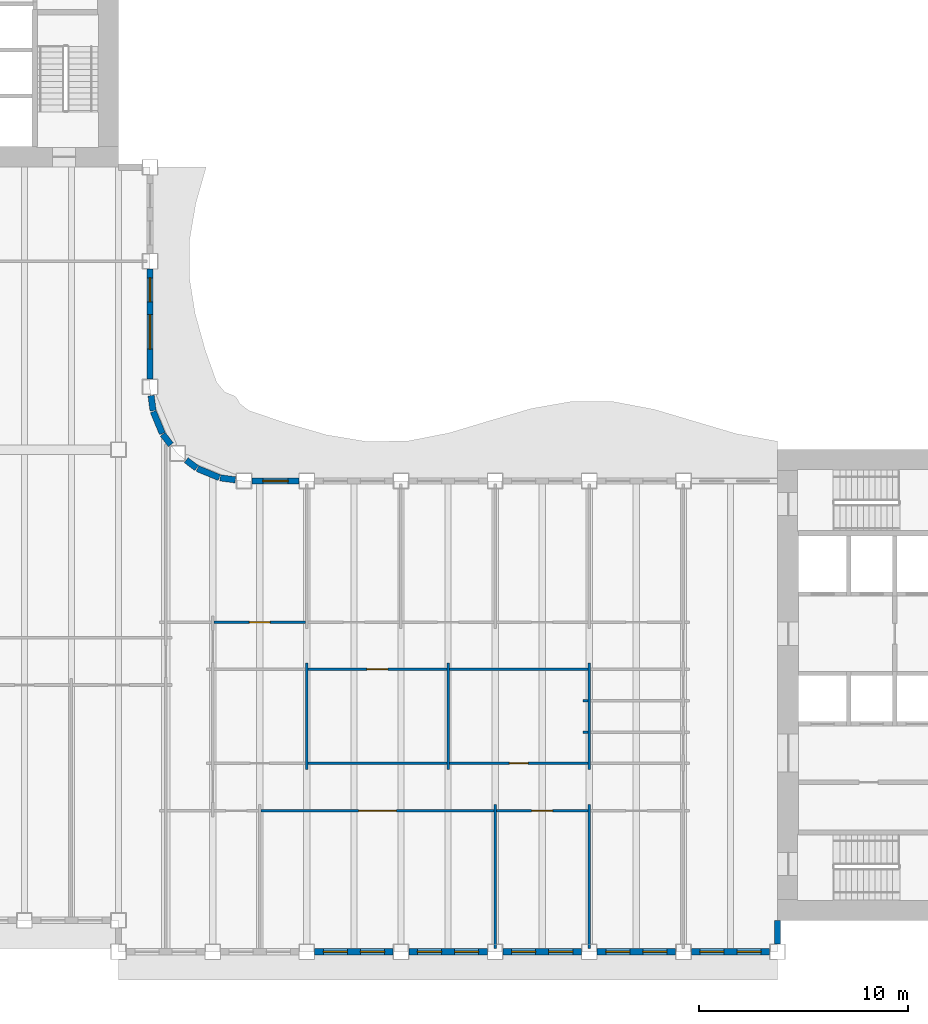
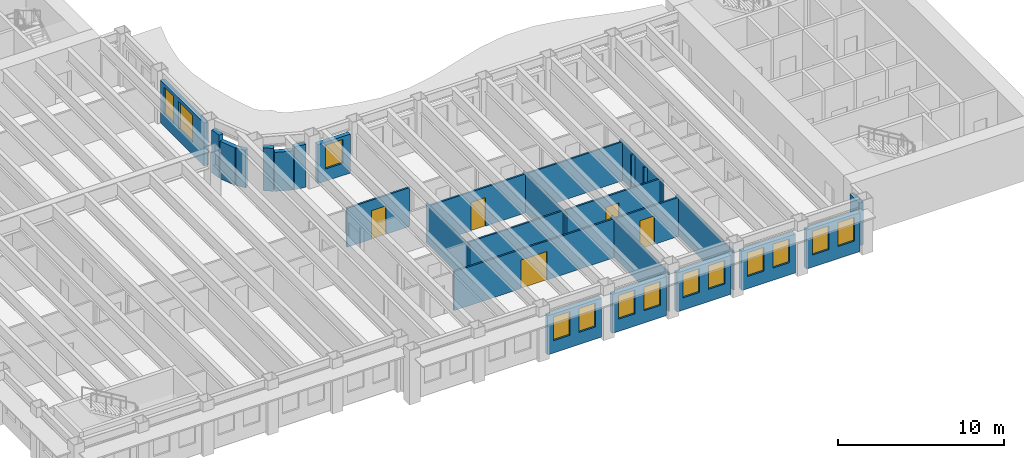
# One storey, part 5 of 16: 28 walls, 13 windows, 5 doors, 18 openings.
"""IFC4 building model written with IfcOpenShell, lengths in metres."""

from ifc_helpers import new_model, si_unit, direction, frame, frame_2d, origin, place, context, subcontext, project, spatial, rectangle, extrude, material, layer, layer_set, type_object, element, fill, save


model = new_model("IFC4")

# Units and contexts
model_context = context("Model", 3, precision=1e-05, world=origin(), true_north=direction((0.0, 1.0)))
body_context = subcontext(model_context, "Body", "Model", "MODEL_VIEW")
ifc_project = project(units=[si_unit("LENGTHUNIT", "METRE"), si_unit("AREAUNIT", "SQUARE_METRE"), si_unit("VOLUMEUNIT", "CUBIC_METRE"), si_unit("PLANEANGLEUNIT", "RADIAN"), si_unit("MASSUNIT", "GRAM", prefix="KILO")], contexts=[model_context])

# Site, building, storey
site_placement = place(None, origin())
site = spatial("IfcSite", under=ifc_project, at=site_placement, CompositionType="ELEMENT")
building_placement = place(site_placement, origin())
building = spatial("IfcBuilding", under=site, at=building_placement, Name="Sennacour Bend Tower", CompositionType="ELEMENT")
storey_placement = place(building_placement, frame((0.0, 0.0, 235.0)))
storey = spatial("IfcBuildingStorey", under=building, at=storey_placement, Name="L54", CompositionType="ELEMENT", Elevation=235.0)

# Walls
ifc_material_1 = material(Name="Plasterboard partition on steel studs", Category="steel")
ifc_layer_1 = layer(ifc_material_1, 0.1201171875, Name="Plasterboard partition on steel studs", Category="steel")
ifc_layer_set_1 = layer_set([ifc_layer_1], Name="Plasterboard partition on steel studs")
wall_type_1 = type_object("IfcWallType", Name="Partition 120", PredefinedType="PARTITIONING", material=ifc_layer_set_1)
for number, where, z_axis, x_axis, name in (
    (1, (31.5, 7.199951171875, 0.0), (0.0, 0.0, 1.0), (0.0, 1.0, 0.0), "P-L54-W026a"),
    (2, (38.25, 7.199951171875, 0.0), (0.0, 0.0, 1.0), (0.0, 1.0, 0.0), "P-L54-W029a"),
):
    element("IfcWall", number, at=place(storey_placement, frame(where, z_axis=z_axis, x_axis=x_axis)), inside=storey, type_object=wall_type_1, Name=name, PredefinedType="PARTITIONING", context=body_context, shape_type="SweptSolid", body=[
        extrude(rectangle(XDim=5.10009765625, YDim=0.1201171875, at=frame_2d((2.550048828125, 0.0))), origin(), (0.0, 0.0, 1.0), 2.8701171875),
    ])
for number, where, z_axis, x_axis, name in (
    (3, (40.5, -1.35009765625, 0.0), (0.0, 0.0, 1.0), (0.0, 1.0, 0.0), "P-L54-W030a"),
    (4, (45.0, -1.35009765625, 0.0), (0.0, 0.0, 1.0), (0.0, 1.0, 0.0), "P-L54-W032a"),
):
    element("IfcWall", number, at=place(storey_placement, frame(where, z_axis=z_axis, x_axis=x_axis)), inside=storey, type_object=wall_type_1, Name=name, PredefinedType="PARTITIONING", context=body_context, shape_type="SweptSolid", body=[
        extrude(rectangle(XDim=6.900146484375, YDim=0.1201171875, at=frame_2d((3.4501953125, 0.0))), origin(), (0.0, 0.0, 1.0), 2.8701171875),
    ])
wall_1_placement = place(storey_placement, frame((45.0, 7.199951171875, 0.0), z_axis=(0.0, 0.0, 1.0), x_axis=(0.0, 1.0, 0.0)))
element("IfcWall", 5, at=wall_1_placement, inside=storey, type_object=wall_type_1, Name="P-L54-W033a", PredefinedType="PARTITIONING", context=body_context, shape_type="SweptSolid", body=[
    extrude(rectangle(XDim=5.10009765625, YDim=0.1201171875, at=frame_2d((2.550048828125, 0.0))), origin(), (0.0, 0.0, 1.0), 2.8701171875),
])

# Wall, opening, door
wall_2_placement = place(storey_placement, frame((29.31005859375, 5.25, 0.0), z_axis=(0.0, 0.0, 1.0), x_axis=(1.0, 0.0, 0.0)))
wall_2 = element("IfcWall", 6, at=wall_2_placement, inside=storey, type_object=wall_type_1, Name="P-L54-W056ad", PredefinedType="PARTITIONING", context=body_context, shape_type="SweptSolid", body=[
    extrude(rectangle(XDim=11.1298828125, YDim=0.1201171875, at=frame_2d((5.56494140625, 0.0))), origin(), (0.0, 0.0, 1.0), 2.8701171875),
])
opening_1_placement = place(wall_2_placement, frame((4.664794921875, 0.0, 0.0)))
opening_1 = element("IfcOpeningElement", 7, at=opening_1_placement, cuts=wall_2, Name="Opening OD3", PredefinedType="OPENING", context=body_context, shape_type="SweptSolid", body=[
    extrude(rectangle(XDim=1.800048828125, YDim=2.10009765625, at=frame_2d((0.89990234375, 1.050048828125))), frame((0.0, 0.070068359375, 0.0), z_axis=(0.0, -1.0, 0.0), x_axis=(1.0, 0.0, 0.0)), (0.0, 0.0, 1.0), 0.14013671875),
])
ifc_material_2 = material(Name="Timber", Category="wood")
door_type_1 = type_object("IfcDoorType", Name="DR-OFFICE-1800", OperationType="NOTDEFINED", PredefinedType="DOOR", material=ifc_material_2)
door_1_placement = place(opening_1_placement, origin())
door_1 = element("IfcDoor", 8, at=door_1_placement, inside=storey, type_object=door_type_1, Name="Door", OperationType="DOUBLE_DOOR_SINGLE_SWING", OverallHeight=2.10009765625, OverallWidth=1.800048828125, PredefinedType="DOOR", context=body_context, shape_type="SweptSolid", body=[
    extrude(rectangle(XDim=1.800048828125, YDim=2.10009765625, at=frame_2d((0.89990234375, 1.050048828125))), frame((0.0, 0.02490234375, 0.0), z_axis=(0.0, -1.0, 0.0), x_axis=(1.0, 0.0, 0.0)), (0.0, 0.0, 1.0), 0.050048828125),
])
fill(opening_1, door_1)

wall_3_placement = place(storey_placement, frame((40.56005859375, 5.25, 0.0), z_axis=(0.0, 0.0, 1.0), x_axis=(1.0, 0.0, 0.0)))
wall_3 = element("IfcWall", 9, at=wall_3_placement, inside=storey, type_object=wall_type_1, Name="P-L54-W056ae", PredefinedType="PARTITIONING", context=body_context, shape_type="SweptSolid", body=[
    extrude(rectangle(XDim=4.3798828125, YDim=0.1201171875, at=frame_2d((2.18994140625, 0.0))), origin(), (0.0, 0.0, 1.0), 2.8701171875),
])
opening_2_placement = place(wall_3_placement, frame((1.68994140625, 0.0, 0.0)))
opening_2 = element("IfcOpeningElement", 10, at=opening_2_placement, cuts=wall_3, Name="Opening OD2", PredefinedType="OPENING", context=body_context, shape_type="SweptSolid", body=[
    extrude(rectangle(XDim=1.0, YDim=2.10009765625, at=frame_2d((0.5, 1.050048828125))), frame((0.0, 0.070068359375, 0.0), z_axis=(0.0, -1.0, 0.0), x_axis=(1.0, 0.0, 0.0)), (0.0, 0.0, 1.0), 0.14013671875),
])
door_type_2 = type_object("IfcDoorType", Name="DR-OFFICE-1000", OperationType="NOTDEFINED", PredefinedType="DOOR", material=ifc_material_2)
door_2_placement = place(opening_2_placement, origin())
door_2 = element("IfcDoor", 11, at=door_2_placement, inside=storey, type_object=door_type_2, Name="Door", OperationType="SINGLE_SWING_LEFT", OverallHeight=2.10009765625, OverallWidth=1.0, PredefinedType="DOOR", context=body_context, shape_type="SweptSolid", body=[
    extrude(rectangle(XDim=1.0, YDim=2.10009765625, at=frame_2d((0.5, 1.050048828125))), frame((0.0, 0.02490234375, 0.0), z_axis=(0.0, -1.0, 0.0), x_axis=(1.0, 0.0, 0.0)), (0.0, 0.0, 1.0), 0.050048828125),
])
fill(opening_2, door_2)

# Walls
wall_4_placement = place(storey_placement, frame((31.56005859375, 7.5, 0.0), z_axis=(0.0, 0.0, 1.0), x_axis=(1.0, 0.0, 0.0)))
element("IfcWall", 12, at=wall_4_placement, inside=storey, type_object=wall_type_1, Name="P-L54-W058ac", PredefinedType="PARTITIONING", context=body_context, shape_type="SweptSolid", body=[
    extrude(rectangle(XDim=6.6298828125, YDim=0.1201171875, at=frame_2d((3.31494140625, 0.0))), origin(), (0.0, 0.0, 1.0), 2.8701171875),
])
for number, where, z_axis, x_axis, name in (
    (13, (44.699951171875, 9.0, 0.0), (0.0, 0.0, 1.0), (1.0, 0.0, 0.0), "P-L54-W059aa"),
    (14, (44.699951171875, 10.5, 0.0), (0.0, 0.0, 1.0), (1.0, 0.0, 0.0), "P-L54-W061aa"),
):
    element("IfcWall", number, at=place(storey_placement, frame(where, z_axis=z_axis, x_axis=x_axis)), inside=storey, type_object=wall_type_1, Name=name, PredefinedType="PARTITIONING", context=body_context, shape_type="SweptSolid", body=[
        extrude(rectangle(XDim=0.239990234375, YDim=0.1201171875, at=frame_2d((0.1201171875, 0.0))), origin(), (0.0, 0.0, 1.0), 2.8701171875),
    ])

# Wall, opening, door
wall_5_placement = place(storey_placement, frame((31.56005859375, 12.0, 0.0), z_axis=(0.0, 0.0, 1.0), x_axis=(1.0, 0.0, 0.0)))
wall_5 = element("IfcWall", 15, at=wall_5_placement, inside=storey, type_object=wall_type_1, Name="P-L54-W064ac", PredefinedType="PARTITIONING", context=body_context, shape_type="SweptSolid", body=[
    extrude(rectangle(XDim=6.6298828125, YDim=0.1201171875, at=frame_2d((3.31494140625, 0.0))), origin(), (0.0, 0.0, 1.0), 2.8701171875),
])
opening_3_placement = place(wall_5_placement, frame((2.81494140625, 0.0, 0.0)))
opening_3 = element("IfcOpeningElement", 16, at=opening_3_placement, cuts=wall_5, Name="Opening OD2", PredefinedType="OPENING", context=body_context, shape_type="SweptSolid", body=[
    extrude(rectangle(XDim=1.0, YDim=2.10009765625, at=frame_2d((0.5, 1.050048828125))), frame((0.0, 0.070068359375, 0.0), z_axis=(0.0, -1.0, 0.0), x_axis=(1.0, 0.0, 0.0)), (0.0, 0.0, 1.0), 0.14013671875),
])
door_3_placement = place(opening_3_placement, origin())
door_3 = element("IfcDoor", 17, at=door_3_placement, inside=storey, type_object=door_type_2, Name="Door", OperationType="SINGLE_SWING_LEFT", OverallHeight=2.10009765625, OverallWidth=1.0, PredefinedType="DOOR", context=body_context, shape_type="SweptSolid", body=[
    extrude(rectangle(XDim=1.0, YDim=2.10009765625, at=frame_2d((0.5, 1.050048828125))), frame((0.0, 0.02490234375, 0.0), z_axis=(0.0, -1.0, 0.0), x_axis=(1.0, 0.0, 0.0)), (0.0, 0.0, 1.0), 0.050048828125),
])
fill(opening_3, door_3)

# Wall
wall_6_placement = place(storey_placement, frame((38.31005859375, 12.0, 0.0), z_axis=(0.0, 0.0, 1.0), x_axis=(1.0, 0.0, 0.0)))
element("IfcWall", 18, at=wall_6_placement, inside=storey, type_object=wall_type_1, Name="P-L54-W064ad", PredefinedType="PARTITIONING", context=body_context, shape_type="SweptSolid", body=[
    extrude(rectangle(XDim=6.6298828125, YDim=0.1201171875, at=frame_2d((3.31494140625, 0.0))), origin(), (0.0, 0.0, 1.0), 2.8701171875),
])

# Wall, opening, door
wall_7_placement = place(storey_placement, frame((27.06005859375, 14.25, 0.0), z_axis=(0.0, 0.0, 1.0), x_axis=(1.0, 0.0, 0.0)))
wall_7 = element("IfcWall", 19, at=wall_7_placement, inside=storey, type_object=wall_type_1, Name="P-L54-W066ac", PredefinedType="PARTITIONING", context=body_context, shape_type="SweptSolid", body=[
    extrude(rectangle(XDim=4.3798828125, YDim=0.1201171875, at=frame_2d((2.18994140625, 0.0))), origin(), (0.0, 0.0, 1.0), 2.8701171875),
])
opening_4_placement = place(wall_7_placement, frame((1.68994140625, 0.0, 0.0)))
opening_4 = element("IfcOpeningElement", 20, at=opening_4_placement, cuts=wall_7, Name="Opening OD2", PredefinedType="OPENING", context=body_context, shape_type="SweptSolid", body=[
    extrude(rectangle(XDim=1.0, YDim=2.10009765625, at=frame_2d((0.5, 1.050048828125))), frame((0.0, 0.070068359375, 0.0), z_axis=(0.0, -1.0, 0.0), x_axis=(1.0, 0.0, 0.0)), (0.0, 0.0, 1.0), 0.14013671875),
])
door_4_placement = place(opening_4_placement, origin())
door_4 = element("IfcDoor", 21, at=door_4_placement, inside=storey, type_object=door_type_2, Name="Door", OperationType="SINGLE_SWING_LEFT", OverallHeight=2.10009765625, OverallWidth=1.0, PredefinedType="DOOR", context=body_context, shape_type="SweptSolid", body=[
    extrude(rectangle(XDim=1.0, YDim=2.10009765625, at=frame_2d((0.5, 1.050048828125))), frame((0.0, 0.02490234375, 0.0), z_axis=(0.0, -1.0, 0.0), x_axis=(1.0, 0.0, 0.0)), (0.0, 0.0, 1.0), 0.050048828125),
])
fill(opening_4, door_4)

ifc_layer_2 = layer(ifc_material_1, 0.1201171875, Name="Plasterboard partition on steel studs", Category="steel")
ifc_layer_set_2 = layer_set([ifc_layer_2], Name="Plasterboard partition on steel studs")
wall_type_2 = type_object("IfcWallType", Name="Partition 120 EI 60", PredefinedType="PARTITIONING", material=ifc_layer_set_2)
wall_8_placement = place(storey_placement, frame((38.31005859375, 7.5, 0.0), z_axis=(0.0, 0.0, 1.0), x_axis=(1.0, 0.0, 0.0)))
wall_8 = element("IfcWall", 22, at=wall_8_placement, inside=storey, type_object=wall_type_2, Name="P-L54-W058ad", PredefinedType="PARTITIONING", context=body_context, shape_type="SweptSolid", body=[
    extrude(rectangle(XDim=6.6298828125, YDim=0.1201171875, at=frame_2d((3.31494140625, 0.0))), origin(), (0.0, 0.0, 1.0), 2.8701171875),
])
opening_5_placement = place(wall_8_placement, frame((2.864990234375, 0.0, 0.0)))
opening_5 = element("IfcOpeningElement", 23, at=opening_5_placement, cuts=wall_8, Name="Opening SV", PredefinedType="OPENING", context=body_context, shape_type="SweptSolid", body=[
    extrude(rectangle(XDim=0.89990234375, YDim=2.10009765625, at=frame_2d((0.449951171875, 1.050048828125))), frame((0.0, 0.070068359375, 0.0), z_axis=(0.0, -1.0, 0.0), x_axis=(1.0, 0.0, 0.0)), (0.0, 0.0, 1.0), 0.14013671875),
])
ifc_material_3 = material(Name="Painted steel", Category="steel")
door_type_3 = type_object("IfcDoorType", Name="DR-SERVICE-900", OperationType="NOTDEFINED", PredefinedType="DOOR", material=ifc_material_3)
door_5_placement = place(opening_5_placement, origin())
door_5 = element("IfcDoor", 24, at=door_5_placement, inside=storey, type_object=door_type_3, Name="Door", OperationType="SINGLE_SWING_LEFT", OverallHeight=2.10009765625, OverallWidth=0.89990234375, PredefinedType="DOOR", context=body_context, shape_type="SweptSolid", body=[
    extrude(rectangle(XDim=0.89990234375, YDim=2.10009765625, at=frame_2d((0.449951171875, 1.050048828125))), frame((0.0, 0.02490234375, 0.0), z_axis=(0.0, -1.0, 0.0), x_axis=(1.0, 0.0, 0.0)), (0.0, 0.0, 1.0), 0.050048828125),
])
fill(opening_5, door_5)

# Wall, openings, windows
ifc_material_4 = material(Name="Warm limestone cladding", Category="masonry")
ifc_layer_3 = layer(ifc_material_4, 0.050048828125, Name="Warm limestone cladding", Category="masonry")
ifc_material_5 = material(Name="Precast concrete C40/50", Category="concrete")
ifc_layer_4 = layer(ifc_material_5, 0.25, Name="Precast concrete C40/50", Category="concrete")
ifc_layer_set_3 = layer_set([ifc_layer_3, ifc_layer_4], Name="Precast concrete C40/50 with limestone cladding")
wall_type_3 = type_object("IfcWallType", Name="STONE-CLAD PRECAST SPANDREL 300", PredefinedType="STANDARD", material=ifc_layer_set_3)
wall_9_placement = place(storey_placement, frame((31.875, -1.5, 0.0), z_axis=(0.0, 0.0, 1.0), x_axis=(1.0, 0.0, 0.0)))
wall_9 = element("IfcWall", 25, at=wall_9_placement, inside=storey, type_object=wall_type_3, Name="Stone spandrel and pier wall L54 00.02", PredefinedType="STANDARD", context=body_context, shape_type="SweptSolid", body=[
    extrude(rectangle(XDim=3.75, YDim=0.300048828125, at=frame_2d((1.875, 0.0))), origin(), (0.0, 0.0, 1.0), 2.8701171875),
])
opening_6_placement = place(wall_9_placement, frame((0.41259765625, 0.0, 0.89990234375)))
opening_6 = element("IfcOpeningElement", 26, at=opening_6_placement, cuts=wall_9, Name="Opening W23", PredefinedType="OPENING", context=body_context, shape_type="SweptSolid", body=[
    extrude(rectangle(XDim=1.14990234375, YDim=1.75, at=frame_2d((0.574951171875, 0.875))), frame((0.0, 0.16015625, 0.0), z_axis=(0.0, -1.0, 0.0), x_axis=(1.0, 0.0, 0.0)), (0.0, 0.0, 1.0), 0.320068359375),
])
opening_7_placement = place(wall_9_placement, frame((2.1875, 0.0, 0.89990234375)))
opening_7 = element("IfcOpeningElement", 27, at=opening_7_placement, cuts=wall_9, Name="Opening W23", PredefinedType="OPENING", context=body_context, shape_type="SweptSolid", body=[
    extrude(rectangle(XDim=1.14990234375, YDim=1.75, at=frame_2d((0.574951171875, 0.875))), frame((0.0, 0.16015625, 0.0), z_axis=(0.0, -1.0, 0.0), x_axis=(1.0, 0.0, 0.0)), (0.0, 0.0, 1.0), 0.320068359375),
])
ifc_material_6 = material(Name="Clear low-emissivity glass", Category="glass")
window_type_1 = type_object("IfcWindowType", Name="WIN-RIBBON-1150x1750", PartitioningType="SINGLE_PANEL", PredefinedType="WINDOW", material=ifc_material_6)
window_1_placement = place(opening_6_placement, origin())
window_1 = element("IfcWindow", 28, at=window_1_placement, inside=storey, type_object=window_type_1, Name="Ribbon window L54 00.02.0", OverallHeight=1.75, OverallWidth=1.14990234375, PartitioningType="SINGLE_PANEL", PredefinedType="WINDOW", context=body_context, shape_type="SweptSolid", body=[
    extrude(rectangle(XDim=1.14990234375, YDim=1.75, at=frame_2d((0.574951171875, 0.875))), frame((0.0, 0.030029296875, 0.0), z_axis=(0.0, -1.0, 0.0), x_axis=(1.0, 0.0, 0.0)), (0.0, 0.0, 1.0), 0.06005859375),
])
fill(opening_6, window_1)
window_2_placement = place(opening_7_placement, origin())
window_2 = element("IfcWindow", 29, at=window_2_placement, inside=storey, type_object=window_type_1, Name="Ribbon window L54 00.02.1", OverallHeight=1.75, OverallWidth=1.14990234375, PartitioningType="SINGLE_PANEL", PredefinedType="WINDOW", context=body_context, shape_type="SweptSolid", body=[
    extrude(rectangle(XDim=1.14990234375, YDim=1.75, at=frame_2d((0.574951171875, 0.875))), frame((0.0, 0.030029296875, 0.0), z_axis=(0.0, -1.0, 0.0), x_axis=(1.0, 0.0, 0.0)), (0.0, 0.0, 1.0), 0.06005859375),
])
fill(opening_7, window_2)

wall_10_placement = place(storey_placement, frame((36.375, -1.5, 0.0), z_axis=(0.0, 0.0, 1.0), x_axis=(1.0, 0.0, 0.0)))
wall_10 = element("IfcWall", 30, at=wall_10_placement, inside=storey, type_object=wall_type_3, Name="Stone spandrel and pier wall L54 00.03", PredefinedType="STANDARD", context=body_context, shape_type="SweptSolid", body=[
    extrude(rectangle(XDim=3.75, YDim=0.300048828125, at=frame_2d((1.875, 0.0))), origin(), (0.0, 0.0, 1.0), 2.8701171875),
])
opening_8_placement = place(wall_10_placement, frame((0.41259765625, 0.0, 0.89990234375)))
opening_8 = element("IfcOpeningElement", 31, at=opening_8_placement, cuts=wall_10, Name="Opening W23", PredefinedType="OPENING", context=body_context, shape_type="SweptSolid", body=[
    extrude(rectangle(XDim=1.14990234375, YDim=1.75, at=frame_2d((0.574951171875, 0.875))), frame((0.0, 0.16015625, 0.0), z_axis=(0.0, -1.0, 0.0), x_axis=(1.0, 0.0, 0.0)), (0.0, 0.0, 1.0), 0.320068359375),
])
opening_9_placement = place(wall_10_placement, frame((2.1875, 0.0, 0.89990234375)))
opening_9 = element("IfcOpeningElement", 32, at=opening_9_placement, cuts=wall_10, Name="Opening W23", PredefinedType="OPENING", context=body_context, shape_type="SweptSolid", body=[
    extrude(rectangle(XDim=1.14990234375, YDim=1.75, at=frame_2d((0.574951171875, 0.875))), frame((0.0, 0.16015625, 0.0), z_axis=(0.0, -1.0, 0.0), x_axis=(1.0, 0.0, 0.0)), (0.0, 0.0, 1.0), 0.320068359375),
])
window_3_placement = place(opening_8_placement, origin())
window_3 = element("IfcWindow", 33, at=window_3_placement, inside=storey, type_object=window_type_1, Name="Ribbon window L54 00.03.0", OverallHeight=1.75, OverallWidth=1.14990234375, PartitioningType="SINGLE_PANEL", PredefinedType="WINDOW", context=body_context, shape_type="SweptSolid", body=[
    extrude(rectangle(XDim=1.14990234375, YDim=1.75, at=frame_2d((0.574951171875, 0.875))), frame((0.0, 0.030029296875, 0.0), z_axis=(0.0, -1.0, 0.0), x_axis=(1.0, 0.0, 0.0)), (0.0, 0.0, 1.0), 0.06005859375),
])
fill(opening_8, window_3)
window_4_placement = place(opening_9_placement, origin())
window_4 = element("IfcWindow", 34, at=window_4_placement, inside=storey, type_object=window_type_1, Name="Ribbon window L54 00.03.1", OverallHeight=1.75, OverallWidth=1.14990234375, PartitioningType="SINGLE_PANEL", PredefinedType="WINDOW", context=body_context, shape_type="SweptSolid", body=[
    extrude(rectangle(XDim=1.14990234375, YDim=1.75, at=frame_2d((0.574951171875, 0.875))), frame((0.0, 0.030029296875, 0.0), z_axis=(0.0, -1.0, 0.0), x_axis=(1.0, 0.0, 0.0)), (0.0, 0.0, 1.0), 0.06005859375),
])
fill(opening_9, window_4)

wall_11_placement = place(storey_placement, frame((40.875, -1.5, 0.0), z_axis=(0.0, 0.0, 1.0), x_axis=(1.0, 0.0, 0.0)))
wall_11 = element("IfcWall", 35, at=wall_11_placement, inside=storey, type_object=wall_type_3, Name="Stone spandrel and pier wall L54 00.04", PredefinedType="STANDARD", context=body_context, shape_type="SweptSolid", body=[
    extrude(rectangle(XDim=3.75, YDim=0.300048828125, at=frame_2d((1.875, 0.0))), origin(), (0.0, 0.0, 1.0), 2.8701171875),
])
opening_10_placement = place(wall_11_placement, frame((0.41259765625, 0.0, 0.89990234375)))
opening_10 = element("IfcOpeningElement", 36, at=opening_10_placement, cuts=wall_11, Name="Opening W23", PredefinedType="OPENING", context=body_context, shape_type="SweptSolid", body=[
    extrude(rectangle(XDim=1.14990234375, YDim=1.75, at=frame_2d((0.574951171875, 0.875))), frame((0.0, 0.16015625, 0.0), z_axis=(0.0, -1.0, 0.0), x_axis=(1.0, 0.0, 0.0)), (0.0, 0.0, 1.0), 0.320068359375),
])
opening_11_placement = place(wall_11_placement, frame((2.1875, 0.0, 0.89990234375)))
opening_11 = element("IfcOpeningElement", 37, at=opening_11_placement, cuts=wall_11, Name="Opening W23", PredefinedType="OPENING", context=body_context, shape_type="SweptSolid", body=[
    extrude(rectangle(XDim=1.14990234375, YDim=1.75, at=frame_2d((0.574951171875, 0.875))), frame((0.0, 0.16015625, 0.0), z_axis=(0.0, -1.0, 0.0), x_axis=(1.0, 0.0, 0.0)), (0.0, 0.0, 1.0), 0.320068359375),
])
window_5_placement = place(opening_10_placement, origin())
window_5 = element("IfcWindow", 38, at=window_5_placement, inside=storey, type_object=window_type_1, Name="Ribbon window L54 00.04.0", OverallHeight=1.75, OverallWidth=1.14990234375, PartitioningType="SINGLE_PANEL", PredefinedType="WINDOW", context=body_context, shape_type="SweptSolid", body=[
    extrude(rectangle(XDim=1.14990234375, YDim=1.75, at=frame_2d((0.574951171875, 0.875))), frame((0.0, 0.030029296875, 0.0), z_axis=(0.0, -1.0, 0.0), x_axis=(1.0, 0.0, 0.0)), (0.0, 0.0, 1.0), 0.06005859375),
])
fill(opening_10, window_5)
window_6_placement = place(opening_11_placement, origin())
window_6 = element("IfcWindow", 39, at=window_6_placement, inside=storey, type_object=window_type_1, Name="Ribbon window L54 00.04.1", OverallHeight=1.75, OverallWidth=1.14990234375, PartitioningType="SINGLE_PANEL", PredefinedType="WINDOW", context=body_context, shape_type="SweptSolid", body=[
    extrude(rectangle(XDim=1.14990234375, YDim=1.75, at=frame_2d((0.574951171875, 0.875))), frame((0.0, 0.030029296875, 0.0), z_axis=(0.0, -1.0, 0.0), x_axis=(1.0, 0.0, 0.0)), (0.0, 0.0, 1.0), 0.06005859375),
])
fill(opening_11, window_6)

wall_12_placement = place(storey_placement, frame((45.375, -1.5, 0.0), z_axis=(0.0, 0.0, 1.0), x_axis=(1.0, 0.0, 0.0)))
wall_12 = element("IfcWall", 40, at=wall_12_placement, inside=storey, type_object=wall_type_3, Name="Stone spandrel and pier wall L54 00.05", PredefinedType="STANDARD", context=body_context, shape_type="SweptSolid", body=[
    extrude(rectangle(XDim=3.75, YDim=0.300048828125, at=frame_2d((1.875, 0.0))), origin(), (0.0, 0.0, 1.0), 2.8701171875),
])
opening_12_placement = place(wall_12_placement, frame((0.41259765625, 0.0, 0.89990234375)))
opening_12 = element("IfcOpeningElement", 41, at=opening_12_placement, cuts=wall_12, Name="Opening W23", PredefinedType="OPENING", context=body_context, shape_type="SweptSolid", body=[
    extrude(rectangle(XDim=1.14990234375, YDim=1.75, at=frame_2d((0.574951171875, 0.875))), frame((0.0, 0.16015625, 0.0), z_axis=(0.0, -1.0, 0.0), x_axis=(1.0, 0.0, 0.0)), (0.0, 0.0, 1.0), 0.320068359375),
])
opening_13_placement = place(wall_12_placement, frame((2.1875, 0.0, 0.89990234375)))
opening_13 = element("IfcOpeningElement", 42, at=opening_13_placement, cuts=wall_12, Name="Opening W23", PredefinedType="OPENING", context=body_context, shape_type="SweptSolid", body=[
    extrude(rectangle(XDim=1.14990234375, YDim=1.75, at=frame_2d((0.574951171875, 0.875))), frame((0.0, 0.16015625, 0.0), z_axis=(0.0, -1.0, 0.0), x_axis=(1.0, 0.0, 0.0)), (0.0, 0.0, 1.0), 0.320068359375),
])
window_7_placement = place(opening_12_placement, origin())
window_7 = element("IfcWindow", 43, at=window_7_placement, inside=storey, type_object=window_type_1, Name="Ribbon window L54 00.05.0", OverallHeight=1.75, OverallWidth=1.14990234375, PartitioningType="SINGLE_PANEL", PredefinedType="WINDOW", context=body_context, shape_type="SweptSolid", body=[
    extrude(rectangle(XDim=1.14990234375, YDim=1.75, at=frame_2d((0.574951171875, 0.875))), frame((0.0, 0.030029296875, 0.0), z_axis=(0.0, -1.0, 0.0), x_axis=(1.0, 0.0, 0.0)), (0.0, 0.0, 1.0), 0.06005859375),
])
fill(opening_12, window_7)
window_8_placement = place(opening_13_placement, origin())
window_8 = element("IfcWindow", 44, at=window_8_placement, inside=storey, type_object=window_type_1, Name="Ribbon window L54 00.05.1", OverallHeight=1.75, OverallWidth=1.14990234375, PartitioningType="SINGLE_PANEL", PredefinedType="WINDOW", context=body_context, shape_type="SweptSolid", body=[
    extrude(rectangle(XDim=1.14990234375, YDim=1.75, at=frame_2d((0.574951171875, 0.875))), frame((0.0, 0.030029296875, 0.0), z_axis=(0.0, -1.0, 0.0), x_axis=(1.0, 0.0, 0.0)), (0.0, 0.0, 1.0), 0.06005859375),
])
fill(opening_13, window_8)

wall_13_placement = place(storey_placement, frame((49.875, -1.5, 0.0), z_axis=(0.0, 0.0, 1.0), x_axis=(1.0, 0.0, 0.0)))
wall_13 = element("IfcWall", 45, at=wall_13_placement, inside=storey, type_object=wall_type_3, Name="Stone spandrel and pier wall L54 00.06", PredefinedType="STANDARD", context=body_context, shape_type="SweptSolid", body=[
    extrude(rectangle(XDim=3.75, YDim=0.300048828125, at=frame_2d((1.875, 0.0))), origin(), (0.0, 0.0, 1.0), 2.8701171875),
])
opening_14_placement = place(wall_13_placement, frame((0.41259765625, 0.0, 0.89990234375)))
opening_14 = element("IfcOpeningElement", 46, at=opening_14_placement, cuts=wall_13, Name="Opening W23", PredefinedType="OPENING", context=body_context, shape_type="SweptSolid", body=[
    extrude(rectangle(XDim=1.14990234375, YDim=1.75, at=frame_2d((0.574951171875, 0.875))), frame((0.0, 0.16015625, 0.0), z_axis=(0.0, -1.0, 0.0), x_axis=(1.0, 0.0, 0.0)), (0.0, 0.0, 1.0), 0.320068359375),
])
opening_15_placement = place(wall_13_placement, frame((2.1875, 0.0, 0.89990234375)))
opening_15 = element("IfcOpeningElement", 47, at=opening_15_placement, cuts=wall_13, Name="Opening W23", PredefinedType="OPENING", context=body_context, shape_type="SweptSolid", body=[
    extrude(rectangle(XDim=1.14990234375, YDim=1.75, at=frame_2d((0.574951171875, 0.875))), frame((0.0, 0.16015625, 0.0), z_axis=(0.0, -1.0, 0.0), x_axis=(1.0, 0.0, 0.0)), (0.0, 0.0, 1.0), 0.320068359375),
])
window_9_placement = place(opening_14_placement, origin())
window_9 = element("IfcWindow", 48, at=window_9_placement, inside=storey, type_object=window_type_1, Name="Ribbon window L54 00.06.0", OverallHeight=1.75, OverallWidth=1.14990234375, PartitioningType="SINGLE_PANEL", PredefinedType="WINDOW", context=body_context, shape_type="SweptSolid", body=[
    extrude(rectangle(XDim=1.14990234375, YDim=1.75, at=frame_2d((0.574951171875, 0.875))), frame((0.0, 0.030029296875, 0.0), z_axis=(0.0, -1.0, 0.0), x_axis=(1.0, 0.0, 0.0)), (0.0, 0.0, 1.0), 0.06005859375),
])
fill(opening_14, window_9)
window_10_placement = place(opening_15_placement, origin())
window_10 = element("IfcWindow", 49, at=window_10_placement, inside=storey, type_object=window_type_1, Name="Ribbon window L54 00.06.1", OverallHeight=1.75, OverallWidth=1.14990234375, PartitioningType="SINGLE_PANEL", PredefinedType="WINDOW", context=body_context, shape_type="SweptSolid", body=[
    extrude(rectangle(XDim=1.14990234375, YDim=1.75, at=frame_2d((0.574951171875, 0.875))), frame((0.0, 0.030029296875, 0.0), z_axis=(0.0, -1.0, 0.0), x_axis=(1.0, 0.0, 0.0)), (0.0, 0.0, 1.0), 0.06005859375),
])
fill(opening_15, window_10)

# Wall
wall_14_placement = place(storey_placement, frame((54.0, -1.125, 0.0), z_axis=(0.0, 0.0, 1.0), x_axis=(0.0, 1.0, 0.0)))
element("IfcWall", 50, at=wall_14_placement, inside=storey, type_object=wall_type_3, Name="Stone spandrel and pier wall L54 01.00", PredefinedType="STANDARD", context=body_context, shape_type="SweptSolid", body=[
    extrude(rectangle(XDim=1.125, YDim=0.300048828125, at=frame_2d((0.5625, 0.0))), origin(), (0.0, 0.0, 1.0), 3.156982421875),
])

# Wall, opening, window
wall_15_placement = place(storey_placement, frame((31.125, 21.0, 0.0), z_axis=(0.0, 0.0, 1.0), x_axis=(-1.0, 0.0, 0.0)))
wall_15 = element("IfcWall", 51, at=wall_15_placement, inside=storey, type_object=wall_type_3, Name="Stone spandrel and pier wall L54 06.05", PredefinedType="STANDARD", context=body_context, shape_type="SweptSolid", body=[
    extrude(rectangle(XDim=2.25, YDim=0.300048828125, at=frame_2d((1.125, 0.0))), origin(), (0.0, 0.0, 1.0), 2.8701171875),
])
opening_16_placement = place(wall_15_placement, frame((0.52490234375, 0.0, 0.89990234375)))
opening_16 = element("IfcOpeningElement", 52, at=opening_16_placement, cuts=wall_15, Name="Opening W16", PredefinedType="OPENING", context=body_context, shape_type="SweptSolid", body=[
    extrude(rectangle(XDim=1.199951171875, YDim=1.75, at=frame_2d((0.60009765625, 0.875))), frame((0.0, 0.16015625, 0.0), z_axis=(0.0, -1.0, 0.0), x_axis=(1.0, 0.0, 0.0)), (0.0, 0.0, 1.0), 0.320068359375),
])
window_type_2 = type_object("IfcWindowType", Name="WIN-RIBBON-1200x1750", PartitioningType="SINGLE_PANEL", PredefinedType="WINDOW", material=ifc_material_6)
window_11_placement = place(opening_16_placement, origin())
window_11 = element("IfcWindow", 53, at=window_11_placement, inside=storey, type_object=window_type_2, Name="Ribbon window L54 06.05", OverallHeight=1.75, OverallWidth=1.199951171875, PartitioningType="SINGLE_PANEL", PredefinedType="WINDOW", context=body_context, shape_type="SweptSolid", body=[
    extrude(rectangle(XDim=1.199951171875, YDim=1.75, at=frame_2d((0.60009765625, 0.875))), frame((0.0, 0.030029296875, 0.0), z_axis=(0.0, -1.0, 0.0), x_axis=(1.0, 0.0, 0.0)), (0.0, 0.0, 1.0), 0.06005859375),
])
fill(opening_16, window_11)

# Walls
wall_16_placement = place(storey_placement, frame((28.0830078125, 21.054931640625, 0.0), z_axis=(0.0, 0.0, 1.0), x_axis=(-0.99142711513, 0.130660917588, 0.0)))
element("IfcWall", 54, at=wall_16_placement, inside=storey, type_object=wall_type_3, Name="Stone spandrel and pier wall L54 07.00", PredefinedType="STANDARD", context=body_context, shape_type="SweptSolid", body=[
    extrude(rectangle(XDim=0.734375, YDim=0.300048828125, at=frame_2d((0.3671875, 0.0))), origin(), (0.0, 0.0, 1.0), 3.156982421875),
])
wall_17_placement = place(storey_placement, frame((27.317138671875, 21.160888671875, 0.0), z_axis=(0.0, 0.0, 1.0), x_axis=(-0.923914616768, 0.382598720491, 0.0)))
element("IfcWall", 55, at=wall_17_placement, inside=storey, type_object=wall_type_3, Name="Stone spandrel and pier wall L54 08.00", PredefinedType="STANDARD", context=body_context, shape_type="SweptSolid", body=[
    extrude(rectangle(XDim=1.13525390625, YDim=0.300048828125, at=frame_2d((0.567626953125, 0.0))), origin(), (0.0, 0.0, 1.0), 2.8701171875),
])
wall_18_placement = place(storey_placement, frame((26.234375, 21.614990234375, 0.0), z_axis=(0.0, 0.0, 1.0), x_axis=(-0.793575131083, 0.608472276547, 0.0)))
element("IfcWall", 56, at=wall_18_placement, inside=storey, type_object=wall_type_3, Name="Stone spandrel and pier wall L54 09.00", PredefinedType="STANDARD", context=body_context, shape_type="SweptSolid", body=[
    extrude(rectangle(XDim=0.629150390625, YDim=0.300048828125, at=frame_2d((0.314453125, 0.0))), origin(), (0.0, 0.0, 1.0), 3.156982421875),
])
wall_19_placement = place(storey_placement, frame((24.997802734375, 22.735107421875, 0.0), z_axis=(0.0, 0.0, 1.0), x_axis=(-0.608472276547, 0.793575131083, 0.0)))
element("IfcWall", 57, at=wall_19_placement, inside=storey, type_object=wall_type_3, Name="Stone spandrel and pier wall L54 10.00", PredefinedType="STANDARD", context=body_context, shape_type="SweptSolid", body=[
    extrude(rectangle(XDim=0.629150390625, YDim=0.300048828125, at=frame_2d((0.314453125, 0.0))), origin(), (0.0, 0.0, 1.0), 2.760009765625),
])
wall_20_placement = place(storey_placement, frame((24.59521484375, 23.268310546875, 0.0), z_axis=(0.0, 0.0, 1.0), x_axis=(-0.382598720491, 0.923914616768, 0.0)))
element("IfcWall", 58, at=wall_20_placement, inside=storey, type_object=wall_type_3, Name="Stone spandrel and pier wall L54 11.00", PredefinedType="STANDARD", context=body_context, shape_type="SweptSolid", body=[
    extrude(rectangle(XDim=1.13525390625, YDim=0.300048828125, at=frame_2d((0.567626953125, 0.0))), origin(), (0.0, 0.0, 1.0), 2.760009765625),
])
wall_21_placement = place(storey_placement, frame((24.15087890625, 24.35498046875, 0.0), z_axis=(0.0, 0.0, 1.0), x_axis=(-0.130660917588, 0.99142711513, 0.0)))
element("IfcWall", 59, at=wall_21_placement, inside=storey, type_object=wall_type_3, Name="Stone spandrel and pier wall L54 12.00", PredefinedType="STANDARD", context=body_context, shape_type="SweptSolid", body=[
    extrude(rectangle(XDim=0.734375, YDim=0.300048828125, at=frame_2d((0.3671875, 0.0))), origin(), (0.0, 0.0, 1.0), 3.156982421875),
])

# Wall, openings, windows
wall_22_placement = place(storey_placement, frame((24.0, 25.875, 0.0), z_axis=(0.0, 0.0, 1.0), x_axis=(0.0, 1.0, 0.0)))
wall_22 = element("IfcWall", 60, at=wall_22_placement, inside=storey, type_object=wall_type_3, Name="Stone spandrel and pier wall L54 13.00", PredefinedType="STANDARD", context=body_context, shape_type="SweptSolid", body=[
    extrude(rectangle(XDim=5.25, YDim=0.300048828125, at=frame_2d((2.625, 0.0))), origin(), (0.0, 0.0, 1.0), 3.156982421875),
])
opening_17_placement = place(wall_22_placement, frame((1.425048828125, 0.0, 0.89990234375)))
opening_17 = element("IfcOpeningElement", 61, at=opening_17_placement, cuts=wall_22, Name="Opening W10", PredefinedType="OPENING", context=body_context, shape_type="SweptSolid", body=[
    extrude(rectangle(XDim=1.64990234375, YDim=2.0, at=frame_2d((0.824951171875, 1.0))), frame((0.0, 0.16015625, 0.0), z_axis=(0.0, -1.0, 0.0), x_axis=(1.0, 0.0, 0.0)), (0.0, 0.0, 1.0), 0.320068359375),
])
opening_18_placement = place(wall_22_placement, frame((3.6875, 0.0, 0.89990234375)))
opening_18 = element("IfcOpeningElement", 62, at=opening_18_placement, cuts=wall_22, Name="Opening W24", PredefinedType="OPENING", context=body_context, shape_type="SweptSolid", body=[
    extrude(rectangle(XDim=1.14990234375, YDim=2.0, at=frame_2d((0.574951171875, 1.0))), frame((0.0, 0.16015625, 0.0), z_axis=(0.0, -1.0, 0.0), x_axis=(1.0, 0.0, 0.0)), (0.0, 0.0, 1.0), 0.320068359375),
])
window_type_3 = type_object("IfcWindowType", Name="WIN-RIBBON-1150x2000", PartitioningType="SINGLE_PANEL", PredefinedType="WINDOW", material=ifc_material_6)
window_12_placement = place(opening_18_placement, origin())
window_12 = element("IfcWindow", 63, at=window_12_placement, inside=storey, type_object=window_type_3, Name="Ribbon window L54 13.00.1", OverallHeight=2.0, OverallWidth=1.14990234375, PartitioningType="SINGLE_PANEL", PredefinedType="WINDOW", context=body_context, shape_type="SweptSolid", body=[
    extrude(rectangle(XDim=1.14990234375, YDim=2.0, at=frame_2d((0.574951171875, 1.0))), frame((0.0, 0.030029296875, 0.0), z_axis=(0.0, -1.0, 0.0), x_axis=(1.0, 0.0, 0.0)), (0.0, 0.0, 1.0), 0.06005859375),
])
fill(opening_18, window_12)
window_type_4 = type_object("IfcWindowType", Name="WIN-RIBBON-1650x2000", PartitioningType="SINGLE_PANEL", PredefinedType="WINDOW", material=ifc_material_6)
window_13_placement = place(opening_17_placement, origin())
window_13 = element("IfcWindow", 64, at=window_13_placement, inside=storey, type_object=window_type_4, Name="Ribbon window L54 13.00.0", OverallHeight=2.0, OverallWidth=1.64990234375, PartitioningType="SINGLE_PANEL", PredefinedType="WINDOW", context=body_context, shape_type="SweptSolid", body=[
    extrude(rectangle(XDim=1.64990234375, YDim=2.0, at=frame_2d((0.824951171875, 1.0))), frame((0.0, 0.030029296875, 0.0), z_axis=(0.0, -1.0, 0.0), x_axis=(1.0, 0.0, 0.0)), (0.0, 0.0, 1.0), 0.06005859375),
])
fill(opening_17, window_13)

save(model, "model.ifc")
